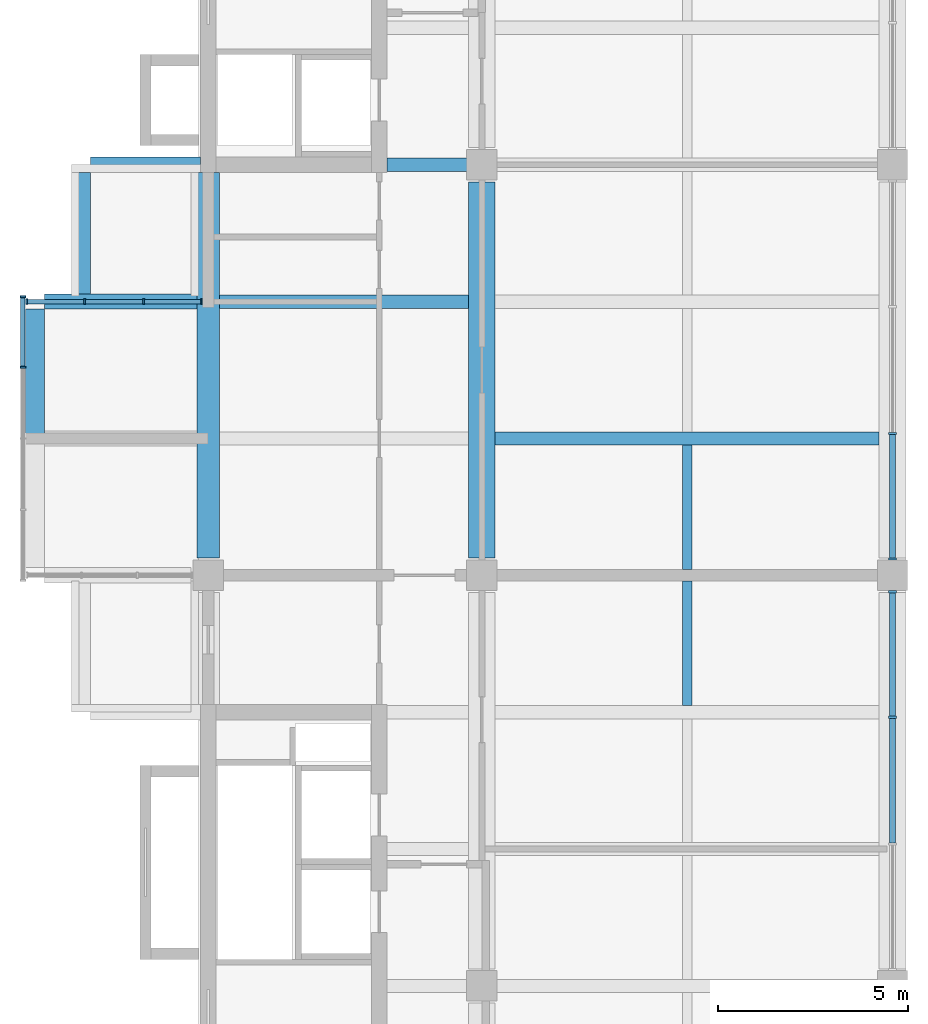
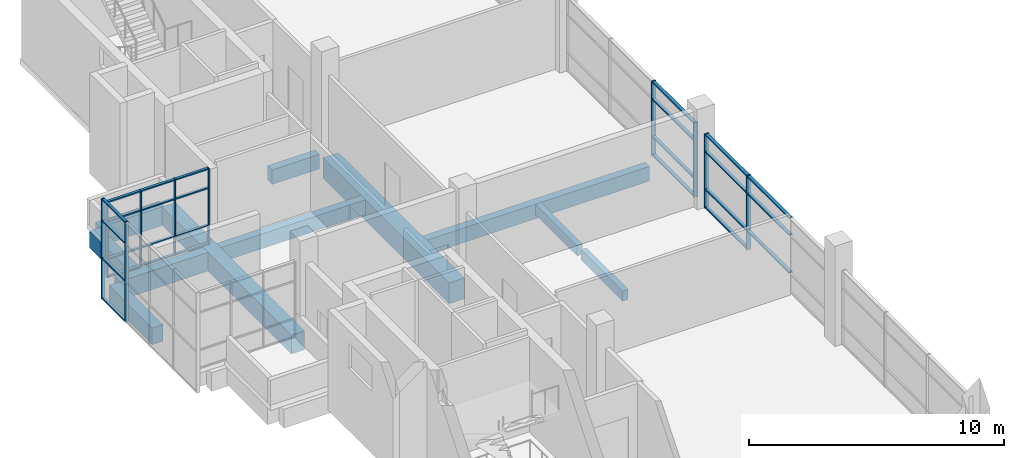
# One storey, part 6 of 14: 37 members, 11 beams, 4 elements without a shape of their own.
"""IFC4 building model written with IfcOpenShell, lengths in metres."""

from ifc_helpers import new_model, si_unit, direction, frame, origin, origin_2d, place, context, subcontext, project, spatial, rectangle, extrude, material, layer, layer_set, material_profile, profile_set, type_object, element, aggregate, save


model = new_model("IFC4")

# Units and contexts
model_context = context("Model", 3, precision=1e-05, world=origin(), true_north=direction((0.0, 1.0)))
body_context = subcontext(model_context, "Body", "Model", "MODEL_VIEW")
ifc_project = project(units=[si_unit("LENGTHUNIT", "METRE"), si_unit("AREAUNIT", "SQUARE_METRE"), si_unit("VOLUMEUNIT", "CUBIC_METRE"), si_unit("PLANEANGLEUNIT", "RADIAN"), si_unit("MASSUNIT", "GRAM", prefix="KILO")], contexts=[model_context])

# Site, building, storey
site_placement = place(None, origin())
site = spatial("IfcSite", under=ifc_project, at=site_placement, CompositionType="ELEMENT")
building_placement = place(site_placement, origin())
building = spatial("IfcBuilding", under=site, at=building_placement, Name="Basin Gate Institute", CompositionType="ELEMENT")
storey_placement = place(building_placement, frame((0.0, 0.0, 60.60009765625)))
storey = spatial("IfcBuildingStorey", under=building, at=storey_placement, Name="L12", CompositionType="ELEMENT", Elevation=60.60009765625)

# Beams
ifc_material_1 = material(Name="Concrete 40 MPa", Category="concrete")
ifc_material_profile_1 = material_profile(ifc_material_1, rectangle(XDim=0.35009765625, YDim=0.699951171875, at=origin_2d()), Name="Beam B1 350 x 700")
ifc_profile_set_1 = profile_set([ifc_material_profile_1], Name="Concrete 40 MPa")
beam_type_1 = type_object("IfcBeamType", Name="Beam B1 R120", PredefinedType="BEAM", material=ifc_profile_set_1)
beam_1_placement = place(storey_placement, frame((68.75, 81.89990234375, -0.60009765625), z_axis=(1.0, 0.0, 0.0), x_axis=(0.0, 1.0, 0.0)))
element("IfcBeam", 1, at=beam_1_placement, inside=storey, type_object=beam_type_1, material=ifc_profile_set_1, Name="BEAM/L12/W/EW/14", PredefinedType="BEAM", context=body_context, shape_type="SweptSolid", body=[
    extrude(rectangle(XDim=0.35009765625, YDim=0.699951171875, at=origin_2d()), origin(), (0.0, 0.0, 1.0), 10.10009765625),
])
beam_2_placement = place(storey_placement, frame((61.5, 85.5, -0.60009765625), z_axis=(1.0, 0.0, 0.0), x_axis=(0.0, 1.0, 0.0)))
element("IfcBeam", 2, at=beam_2_placement, inside=storey, type_object=beam_type_1, material=ifc_profile_set_1, Name="BEAM/L12/W/OUT/15", PredefinedType="BEAM", context=body_context, shape_type="SweptSolid", body=[
    extrude(rectangle(XDim=0.35009765625, YDim=0.699951171875, at=origin_2d()), origin(), (0.0, 0.0, 1.0), 6.550048828125),
])
beam_3_placement = place(storey_placement, frame((65.89990234375, 89.10009765625, -0.60009765625), z_axis=(1.0, 0.0, 0.0), x_axis=(0.0, 1.0, 0.0)))
element("IfcBeam", 3, at=beam_3_placement, inside=storey, type_object=beam_type_1, material=ifc_profile_set_1, Name="BEAM/L12/W/CORR/16", PredefinedType="BEAM", context=body_context, shape_type="SweptSolid", body=[
    extrude(rectangle(XDim=0.35009765625, YDim=0.699951171875, at=origin_2d()), origin(), (0.0, 0.0, 1.0), 2.150146484375),
])
ifc_material_2 = material(Name="Concrete 50 MPa", Category="concrete")
ifc_material_profile_2 = material_profile(ifc_material_2, rectangle(XDim=0.39990234375, YDim=0.89990234375, at=origin_2d()), Name="Cantilever beam B3 400 x 900")
ifc_profile_set_2 = profile_set([ifc_material_profile_2], Name="Concrete 50 MPa")
beam_type_2 = type_object("IfcBeamType", Name="Cantilever beam B3 R120", PredefinedType="BEAM", material=ifc_profile_set_2)
beam_4_placement = place(storey_placement, frame((56.89990234375, 85.5, -0.7001953125), z_axis=(1.0, 0.0, 0.0), x_axis=(0.0, 1.0, 0.0)))
element("IfcBeam", 4, at=beam_4_placement, inside=storey, type_object=beam_type_2, material=ifc_profile_set_2, Name="BEAM/L12/W/CANT/15", PredefinedType="BEAM", context=body_context, shape_type="SweptSolid", body=[
    extrude(rectangle(XDim=0.39990234375, YDim=0.89990234375, at=origin_2d()), origin(), (0.0, 0.0, 1.0), 4.0),
])
beam_5_placement = place(storey_placement, frame((58.10009765625, 89.10009765625, -0.7001953125), z_axis=(1.0, 0.0, 0.0), x_axis=(0.0, 1.0, 0.0)))
element("IfcBeam", 5, at=beam_5_placement, inside=storey, type_object=beam_type_2, material=ifc_profile_set_2, Name="BEAM/L12/W/CANT/16", PredefinedType="BEAM", context=body_context, shape_type="SweptSolid", body=[
    extrude(rectangle(XDim=0.39990234375, YDim=0.89990234375, at=origin_2d()), origin(), (0.0, 0.0, 1.0), 2.89990234375),
])
ifc_material_3 = material(Name="Concrete 50 MPa", Category="concrete")
ifc_material_profile_3 = material_profile(ifc_material_3, rectangle(XDim=0.60009765625, YDim=0.89990234375, at=origin_2d()), Name="Edge beam EB1 600 x 900")
ifc_profile_set_3 = profile_set([ifc_material_profile_3], Name="Concrete 50 MPa")
beam_type_3 = type_object("IfcBeamType", Name="Edge beam EB1 R120", PredefinedType="SPANDREL", material=ifc_profile_set_3)
beam_6_placement = place(storey_placement, frame((61.199951171875, 78.75, -0.7001953125), z_axis=(0.0, 1.0, 0.0), x_axis=(-1.0, 0.0, 0.0)))
element("IfcBeam", 6, at=beam_6_placement, inside=storey, type_object=beam_type_3, material=ifc_profile_set_3, Name="BEAM/L12/W/EDGE/4", PredefinedType="SPANDREL", context=body_context, shape_type="SweptSolid", body=[
    extrude(rectangle(XDim=0.60009765625, YDim=0.89990234375, at=origin_2d()), origin(), (0.0, 0.0, 1.0), 10.14990234375),
])
ifc_material_4 = material(Name="Concrete 50 MPa", Category="concrete")
ifc_material_profile_4 = material_profile(ifc_material_4, rectangle(XDim=0.699951171875, YDim=1.0, at=origin_2d()), Name="Girder G1 700 x 1000")
ifc_profile_set_4 = profile_set([ifc_material_profile_4], Name="Concrete 50 MPa")
beam_type_4 = type_object("IfcBeamType", Name="Girder G1 R120", PredefinedType="BEAM", material=ifc_profile_set_4)
beam_7_placement = place(storey_placement, frame((68.39990234375, 78.75, -0.75), z_axis=(0.0, 1.0, 0.0), x_axis=(-1.0, 0.0, 0.0)))
element("IfcBeam", 7, at=beam_7_placement, inside=storey, type_object=beam_type_4, material=ifc_profile_set_4, Name="GIR/L12/W5/5", PredefinedType="BEAM", context=body_context, shape_type="SweptSolid", body=[
    extrude(rectangle(XDim=0.699951171875, YDim=1.0, at=origin_2d()), origin(), (0.0, 0.0, 1.0), 9.89990234375),
])

# Curtain wall, members
ifc_material_5 = material(Name="Aluminium-framed glazing", Category="aluminium")
ifc_layer_1 = layer(ifc_material_5, 0.14990234375)
ifc_layer_set_1 = layer_set([ifc_layer_1], Name="Capsule front curtain wall CW1")
curtain_wall_type_1 = type_object("IfcCurtainWallType", Name="Capsule front curtain wall CW1", PredefinedType="NOTDEFINED", material=ifc_layer_set_1)
curtain_wall_1_placement = place(storey_placement, origin())
curtain_wall_1 = element("IfcCurtainWall", 8, at=curtain_wall_1_placement, inside=storey, type_object=curtain_wall_type_1, material=ifc_layer_set_1, Name="Capsule front curtain wall W wing capsule end L12 line 15", PredefinedType="NOTDEFINED")
ifc_material_6 = material(Name="Aluminium", Category="aluminium")
ifc_material_profile_5 = material_profile(ifc_material_6, rectangle(XDim=0.14990234375, YDim=0.050048828125, at=origin_2d()), Name="Mullion MU1 150 x 50")
ifc_profile_set_5 = profile_set([ifc_material_profile_5], Name="Aluminium")
member_type_1 = type_object("IfcMemberType", Name="Mullion MU1", PredefinedType="MULLION", material=ifc_profile_set_5)
member_1_placement = place(storey_placement, frame((56.425048828125, 85.5, 0.0), z_axis=(0.0, 0.0, 1.0), x_axis=(0.0, 1.0, 0.0)))
member_1 = element("IfcMember", 9, at=member_1_placement, type_object=member_type_1, material=ifc_profile_set_5, Name="CW1 mullion 1", PredefinedType="MULLION", context=body_context, shape_type="SweptSolid", body=[
    extrude(rectangle(XDim=0.14990234375, YDim=0.050048828125, at=origin_2d()), origin(), (0.0, 0.0, 1.0), 3.64990234375),
])
member_2_placement = place(storey_placement, frame((57.949951171875, 85.5, 0.0), z_axis=(0.0, 0.0, 1.0), x_axis=(0.0, 1.0, 0.0)))
member_2 = element("IfcMember", 10, at=member_2_placement, type_object=member_type_1, material=ifc_profile_set_5, Name="CW1 mullion 2", PredefinedType="MULLION", context=body_context, shape_type="SweptSolid", body=[
    extrude(rectangle(XDim=0.14990234375, YDim=0.050048828125, at=origin_2d()), origin(), (0.0, 0.0, 1.0), 3.64990234375),
])
member_3_placement = place(storey_placement, frame((59.5, 85.5, 0.0), z_axis=(0.0, 0.0, 1.0), x_axis=(0.0, 1.0, 0.0)))
member_3 = element("IfcMember", 11, at=member_3_placement, type_object=member_type_1, material=ifc_profile_set_5, Name="CW1 mullion 3", PredefinedType="MULLION", context=body_context, shape_type="SweptSolid", body=[
    extrude(rectangle(XDim=0.14990234375, YDim=0.050048828125, at=origin_2d()), origin(), (0.0, 0.0, 1.0), 3.64990234375),
])
member_4_placement = place(storey_placement, frame((61.02490234375, 85.5, 0.0), z_axis=(0.0, 0.0, 1.0), x_axis=(0.0, 1.0, 0.0)))
member_4 = element("IfcMember", 12, at=member_4_placement, type_object=member_type_1, material=ifc_profile_set_5, Name="CW1 mullion 4", PredefinedType="MULLION", context=body_context, shape_type="SweptSolid", body=[
    extrude(rectangle(XDim=0.14990234375, YDim=0.050048828125, at=origin_2d()), origin(), (0.0, 0.0, 1.0), 3.64990234375),
])

curtain_wall_2_placement = place(storey_placement, origin())
curtain_wall_2 = element("IfcCurtainWall", 13, at=curtain_wall_2_placement, inside=storey, type_object=curtain_wall_type_1, material=ifc_layer_set_1, Name="Capsule front curtain wall W wing capsule 2 L12 front 2", PredefinedType="NOTDEFINED")
member_5_placement = place(storey_placement, frame((56.324951171875, 83.77490234375, -1.050048828125), z_axis=(0.0, 0.0, 1.0), x_axis=(-1.0, 0.0, 0.0)))
member_5 = element("IfcMember", 14, at=member_5_placement, type_object=member_type_1, material=ifc_profile_set_5, Name="CW1 mullion 4", PredefinedType="MULLION", context=body_context, shape_type="SweptSolid", body=[
    extrude(rectangle(XDim=0.14990234375, YDim=0.050048828125, at=origin_2d()), origin(), (0.0, 0.0, 1.0), 4.800048828125),
])
member_6_placement = place(storey_placement, frame((56.324951171875, 85.625, -1.050048828125), z_axis=(0.0, 0.0, 1.0), x_axis=(-1.0, 0.0, 0.0)))
member_6 = element("IfcMember", 15, at=member_6_placement, type_object=member_type_1, material=ifc_profile_set_5, Name="CW1 mullion 5", PredefinedType="MULLION", context=body_context, shape_type="SweptSolid", body=[
    extrude(rectangle(XDim=0.14990234375, YDim=0.050048828125, at=origin_2d()), origin(), (0.0, 0.0, 1.0), 4.800048828125),
])

ifc_material_7 = material(Name="Aluminium-framed glazing", Category="aluminium")
ifc_layer_2 = layer(ifc_material_7, 0.199951171875)
ifc_layer_set_2 = layer_set([ifc_layer_2], Name="Atrium curtain wall CW2")
curtain_wall_type_2 = type_object("IfcCurtainWallType", Name="Atrium curtain wall CW2", PredefinedType="NOTDEFINED", material=ifc_layer_set_2)
curtain_wall_3_placement = place(storey_placement, origin())
curtain_wall_3 = element("IfcCurtainWall", 16, at=curtain_wall_3_placement, inside=storey, type_object=curtain_wall_type_2, material=ifc_layer_set_2, Name="Atrium curtain wall W wing atrium bay 4 L12", PredefinedType="NOTDEFINED")
ifc_material_8 = material(Name="Aluminium", Category="aluminium")
ifc_material_profile_6 = material_profile(ifc_material_8, rectangle(XDim=0.199951171875, YDim=0.06005859375, at=origin_2d()), Name="Mullion MU2 200 x 60")
ifc_profile_set_6 = profile_set([ifc_material_profile_6], Name="Aluminium")
member_type_2 = type_object("IfcMemberType", Name="Mullion MU2", PredefinedType="MULLION", material=ifc_profile_set_6)
member_7_placement = place(storey_placement, frame((79.199951171875, 74.566650390625, 0.0), z_axis=(0.0, 0.0, 1.0), x_axis=(-1.0, 0.0, 0.0)))
member_7 = element("IfcMember", 17, at=member_7_placement, type_object=member_type_2, material=ifc_profile_set_6, Name="CW2 mullion 3", PredefinedType="MULLION", context=body_context, shape_type="SweptSolid", body=[
    extrude(rectangle(XDim=0.199951171875, YDim=0.06005859375, at=origin_2d()), origin(), (0.0, 0.0, 1.0), 3.5498046875),
])
member_8_placement = place(storey_placement, frame((79.199951171875, 77.8701171875, 0.0), z_axis=(0.0, 0.0, 1.0), x_axis=(-1.0, 0.0, 0.0)))
member_8 = element("IfcMember", 18, at=member_8_placement, type_object=member_type_2, material=ifc_profile_set_6, Name="CW2 mullion 4", PredefinedType="MULLION", context=body_context, shape_type="SweptSolid", body=[
    extrude(rectangle(XDim=0.199951171875, YDim=0.06005859375, at=origin_2d()), origin(), (0.0, 0.0, 1.0), 3.5498046875),
])

curtain_wall_4_placement = place(storey_placement, origin())
curtain_wall_4 = element("IfcCurtainWall", 19, at=curtain_wall_4_placement, inside=storey, type_object=curtain_wall_type_2, material=ifc_layer_set_2, Name="Atrium curtain wall W wing atrium bay 5 L12", PredefinedType="NOTDEFINED")
member_9_placement = place(storey_placement, frame((79.199951171875, 78.72998046875, 0.0), z_axis=(0.0, 0.0, 1.0), x_axis=(-1.0, 0.0, 0.0)))
member_9 = element("IfcMember", 20, at=member_9_placement, type_object=member_type_2, material=ifc_profile_set_6, Name="CW2 mullion 1", PredefinedType="MULLION", context=body_context, shape_type="SweptSolid", body=[
    extrude(rectangle(XDim=0.199951171875, YDim=0.06005859375, at=origin_2d()), origin(), (0.0, 0.0, 1.0), 3.5498046875),
])
member_10_placement = place(storey_placement, frame((79.199951171875, 82.033447265625, 0.0), z_axis=(0.0, 0.0, 1.0), x_axis=(-1.0, 0.0, 0.0)))
member_10 = element("IfcMember", 21, at=member_10_placement, type_object=member_type_2, material=ifc_profile_set_6, Name="CW2 mullion 2", PredefinedType="MULLION", context=body_context, shape_type="SweptSolid", body=[
    extrude(rectangle(XDim=0.199951171875, YDim=0.06005859375, at=origin_2d()), origin(), (0.0, 0.0, 1.0), 3.5498046875),
])

# Beams
ifc_material_9 = material(Name="Concrete 40 MPa", Category="concrete")
ifc_material_profile_7 = material_profile(ifc_material_9, rectangle(XDim=0.25, YDim=0.5, at=origin_2d()), Name="Rib R1 250 x 500")
ifc_profile_set_7 = profile_set([ifc_material_profile_7], Name="Concrete 40 MPa")
beam_type_5 = type_object("IfcBeamType", Name="Rib R1 R120", PredefinedType="JOIST", material=ifc_profile_set_7)
beam_8_placement = place(storey_placement, frame((73.800048828125, 74.875, -0.5), z_axis=(0.0, 1.0, 0.0), x_axis=(-1.0, 0.0, 0.0)))
element("IfcBeam", 22, at=beam_8_placement, inside=storey, type_object=beam_type_5, material=ifc_profile_set_7, Name="BEAM/L12/W/RIB/12", PredefinedType="JOIST", context=body_context, shape_type="SweptSolid", body=[
    extrude(rectangle(XDim=0.25, YDim=0.5, at=origin_2d()), origin(), (0.0, 0.0, 1.0), 3.27490234375),
])
beam_9_placement = place(storey_placement, frame((73.800048828125, 78.449951171875, -0.5), z_axis=(0.0, 1.0, 0.0), x_axis=(-1.0, 0.0, 0.0)))
element("IfcBeam", 23, at=beam_9_placement, inside=storey, type_object=beam_type_5, material=ifc_profile_set_7, Name="BEAM/L12/W/RIB/13", PredefinedType="JOIST", context=body_context, shape_type="SweptSolid", body=[
    extrude(rectangle(XDim=0.25, YDim=0.5, at=origin_2d()), origin(), (0.0, 0.0, 1.0), 3.275146484375),
])
ifc_material_10 = material(Name="Concrete 50 MPa", Category="concrete")
ifc_material_profile_8 = material_profile(ifc_material_10, rectangle(XDim=0.5, YDim=0.800048828125, at=origin_2d()), Name="Tip beam TB1 500 x 800")
ifc_profile_set_8 = profile_set([ifc_material_profile_8], Name="Concrete 50 MPa")
beam_type_6 = type_object("IfcBeamType", Name="Tip beam TB1 R120", PredefinedType="SPANDREL", material=ifc_profile_set_8)
beam_10_placement = place(storey_placement, frame((56.64990234375, 81.89990234375, -0.650146484375), z_axis=(0.0, 1.0, 0.0), x_axis=(-1.0, 0.0, 0.0)))
element("IfcBeam", 24, at=beam_10_placement, inside=storey, type_object=beam_type_6, material=ifc_profile_set_8, Name="BEAM/L12/W/TIP/7", PredefinedType="SPANDREL", context=body_context, shape_type="SweptSolid", body=[
    extrude(rectangle(XDim=0.5, YDim=0.800048828125, at=origin_2d()), origin(), (0.0, 0.0, 1.0), 3.400146484375),
])
beam_11_placement = place(storey_placement, frame((57.85009765625, 85.699951171875, -0.650146484375), z_axis=(0.0, 1.0, 0.0), x_axis=(-1.0, 0.0, 0.0)))
element("IfcBeam", 25, at=beam_11_placement, inside=storey, type_object=beam_type_6, material=ifc_profile_set_8, Name="BEAM/L12/W/TIP/8", PredefinedType="SPANDREL", context=body_context, shape_type="SweptSolid", body=[
    extrude(rectangle(XDim=0.5, YDim=0.800048828125, at=origin_2d()), origin(), (0.0, 0.0, 1.0), 3.199951171875),
])

# Member
ifc_material_11 = material(Name="Aluminium", Category="aluminium")
ifc_material_profile_9 = material_profile(ifc_material_11, rectangle(XDim=0.1201171875, YDim=0.06005859375, at=origin_2d()), Name="Transom TR1 120 x 60")
ifc_profile_set_9 = profile_set([ifc_material_profile_9], Name="Aluminium")
member_type_3 = type_object("IfcMemberType", Name="Transom TR1", PredefinedType="USERDEFINED", material=ifc_profile_set_9)
member_11_placement = place(storey_placement, frame((56.449951171875, 85.5, 0.02978515625), z_axis=(1.0, 0.0, 0.0), x_axis=(0.0, 1.0, 0.0)))
member_11 = element("IfcMember", 26, at=member_11_placement, type_object=member_type_3, material=ifc_profile_set_9, Name="CW1 transom 1.1", ObjectType="TRANSOM", PredefinedType="USERDEFINED", context=body_context, shape_type="SweptSolid", body=[
    extrude(rectangle(XDim=0.1201171875, YDim=0.06005859375, at=origin_2d()), origin(), (0.0, 0.0, 1.0), 1.47509765625),
])

member_12_placement = place(storey_placement, frame((56.449951171875, 85.5, 0.89990234375), z_axis=(1.0, 0.0, 0.0), x_axis=(0.0, 1.0, 0.0)))
member_12 = element("IfcMember", 27, at=member_12_placement, type_object=member_type_3, material=ifc_profile_set_9, Name="CW1 transom 1.2", ObjectType="TRANSOM", PredefinedType="USERDEFINED", context=body_context, shape_type="SweptSolid", body=[
    extrude(rectangle(XDim=0.1201171875, YDim=0.06005859375, at=origin_2d()), origin(), (0.0, 0.0, 1.0), 1.47509765625),
])

member_13_placement = place(storey_placement, frame((56.449951171875, 85.5, 2.699951171875), z_axis=(1.0, 0.0, 0.0), x_axis=(0.0, 1.0, 0.0)))
member_13 = element("IfcMember", 28, at=member_13_placement, type_object=member_type_3, material=ifc_profile_set_9, Name="CW1 transom 1.3", ObjectType="TRANSOM", PredefinedType="USERDEFINED", context=body_context, shape_type="SweptSolid", body=[
    extrude(rectangle(XDim=0.1201171875, YDim=0.06005859375, at=origin_2d()), origin(), (0.0, 0.0, 1.0), 1.47509765625),
])

member_14_placement = place(storey_placement, frame((56.449951171875, 85.5, 3.619873046875), z_axis=(1.0, 0.0, 0.0), x_axis=(0.0, 1.0, 0.0)))
member_14 = element("IfcMember", 29, at=member_14_placement, type_object=member_type_3, material=ifc_profile_set_9, Name="CW1 transom 1.4", ObjectType="TRANSOM", PredefinedType="USERDEFINED", context=body_context, shape_type="SweptSolid", body=[
    extrude(rectangle(XDim=0.1201171875, YDim=0.06005859375, at=origin_2d()), origin(), (0.0, 0.0, 1.0), 1.47509765625),
])

member_15_placement = place(storey_placement, frame((57.97509765625, 85.5, 0.02978515625), z_axis=(1.0, 0.0, 0.0), x_axis=(0.0, 1.0, 0.0)))
member_15 = element("IfcMember", 30, at=member_15_placement, type_object=member_type_3, material=ifc_profile_set_9, Name="CW1 transom 2.1", ObjectType="TRANSOM", PredefinedType="USERDEFINED", context=body_context, shape_type="SweptSolid", body=[
    extrude(rectangle(XDim=0.1201171875, YDim=0.06005859375, at=origin_2d()), origin(), (0.0, 0.0, 1.0), 1.5),
])

member_16_placement = place(storey_placement, frame((57.97509765625, 85.5, 0.89990234375), z_axis=(1.0, 0.0, 0.0), x_axis=(0.0, 1.0, 0.0)))
member_16 = element("IfcMember", 31, at=member_16_placement, type_object=member_type_3, material=ifc_profile_set_9, Name="CW1 transom 2.2", ObjectType="TRANSOM", PredefinedType="USERDEFINED", context=body_context, shape_type="SweptSolid", body=[
    extrude(rectangle(XDim=0.1201171875, YDim=0.06005859375, at=origin_2d()), origin(), (0.0, 0.0, 1.0), 1.5),
])

member_17_placement = place(storey_placement, frame((57.97509765625, 85.5, 2.699951171875), z_axis=(1.0, 0.0, 0.0), x_axis=(0.0, 1.0, 0.0)))
member_17 = element("IfcMember", 32, at=member_17_placement, type_object=member_type_3, material=ifc_profile_set_9, Name="CW1 transom 2.3", ObjectType="TRANSOM", PredefinedType="USERDEFINED", context=body_context, shape_type="SweptSolid", body=[
    extrude(rectangle(XDim=0.1201171875, YDim=0.06005859375, at=origin_2d()), origin(), (0.0, 0.0, 1.0), 1.5),
])

member_18_placement = place(storey_placement, frame((57.97509765625, 85.5, 3.619873046875), z_axis=(1.0, 0.0, 0.0), x_axis=(0.0, 1.0, 0.0)))
member_18 = element("IfcMember", 33, at=member_18_placement, type_object=member_type_3, material=ifc_profile_set_9, Name="CW1 transom 2.4", ObjectType="TRANSOM", PredefinedType="USERDEFINED", context=body_context, shape_type="SweptSolid", body=[
    extrude(rectangle(XDim=0.1201171875, YDim=0.06005859375, at=origin_2d()), origin(), (0.0, 0.0, 1.0), 1.5),
])

member_19_placement = place(storey_placement, frame((59.52490234375, 85.5, 0.02978515625), z_axis=(1.0, 0.0, 0.0), x_axis=(0.0, 1.0, 0.0)))
member_19 = element("IfcMember", 34, at=member_19_placement, type_object=member_type_3, material=ifc_profile_set_9, Name="CW1 transom 3.1", ObjectType="TRANSOM", PredefinedType="USERDEFINED", context=body_context, shape_type="SweptSolid", body=[
    extrude(rectangle(XDim=0.1201171875, YDim=0.06005859375, at=origin_2d()), origin(), (0.0, 0.0, 1.0), 1.47509765625),
])

member_20_placement = place(storey_placement, frame((59.52490234375, 85.5, 0.89990234375), z_axis=(1.0, 0.0, 0.0), x_axis=(0.0, 1.0, 0.0)))
member_20 = element("IfcMember", 35, at=member_20_placement, type_object=member_type_3, material=ifc_profile_set_9, Name="CW1 transom 3.2", ObjectType="TRANSOM", PredefinedType="USERDEFINED", context=body_context, shape_type="SweptSolid", body=[
    extrude(rectangle(XDim=0.1201171875, YDim=0.06005859375, at=origin_2d()), origin(), (0.0, 0.0, 1.0), 1.47509765625),
])

member_21_placement = place(storey_placement, frame((59.52490234375, 85.5, 2.699951171875), z_axis=(1.0, 0.0, 0.0), x_axis=(0.0, 1.0, 0.0)))
member_21 = element("IfcMember", 36, at=member_21_placement, type_object=member_type_3, material=ifc_profile_set_9, Name="CW1 transom 3.3", ObjectType="TRANSOM", PredefinedType="USERDEFINED", context=body_context, shape_type="SweptSolid", body=[
    extrude(rectangle(XDim=0.1201171875, YDim=0.06005859375, at=origin_2d()), origin(), (0.0, 0.0, 1.0), 1.47509765625),
])

member_22_placement = place(storey_placement, frame((59.52490234375, 85.5, 3.619873046875), z_axis=(1.0, 0.0, 0.0), x_axis=(0.0, 1.0, 0.0)))
member_22 = element("IfcMember", 37, at=member_22_placement, type_object=member_type_3, material=ifc_profile_set_9, Name="CW1 transom 3.4", ObjectType="TRANSOM", PredefinedType="USERDEFINED", context=body_context, shape_type="SweptSolid", body=[
    extrude(rectangle(XDim=0.1201171875, YDim=0.06005859375, at=origin_2d()), origin(), (0.0, 0.0, 1.0), 1.47509765625),
])

aggregate(curtain_wall_1, [member_1, member_2, member_3, member_4, member_11, member_12, member_13, member_14, member_15, member_16, member_17, member_18, member_19, member_20, member_21, member_22])

member_23_placement = place(storey_placement, frame((56.324951171875, 83.800048828125, -1.02001953125), z_axis=(0.0, 1.0, 0.0), x_axis=(-1.0, 0.0, 0.0)))
member_23 = element("IfcMember", 38, at=member_23_placement, type_object=member_type_3, material=ifc_profile_set_9, Name="CW1 transom 4.1", ObjectType="TRANSOM", PredefinedType="USERDEFINED", context=body_context, shape_type="SweptSolid", body=[
    extrude(rectangle(XDim=0.1201171875, YDim=0.06005859375, at=origin_2d()), origin(), (0.0, 0.0, 1.0), 1.800048828125),
])

member_24_placement = place(storey_placement, frame((56.324951171875, 83.800048828125, 0.89990234375), z_axis=(0.0, 1.0, 0.0), x_axis=(-1.0, 0.0, 0.0)))
member_24 = element("IfcMember", 39, at=member_24_placement, type_object=member_type_3, material=ifc_profile_set_9, Name="CW1 transom 4.2", ObjectType="TRANSOM", PredefinedType="USERDEFINED", context=body_context, shape_type="SweptSolid", body=[
    extrude(rectangle(XDim=0.1201171875, YDim=0.06005859375, at=origin_2d()), origin(), (0.0, 0.0, 1.0), 1.800048828125),
])

member_25_placement = place(storey_placement, frame((56.324951171875, 83.800048828125, 2.699951171875), z_axis=(0.0, 1.0, 0.0), x_axis=(-1.0, 0.0, 0.0)))
member_25 = element("IfcMember", 40, at=member_25_placement, type_object=member_type_3, material=ifc_profile_set_9, Name="CW1 transom 4.3", ObjectType="TRANSOM", PredefinedType="USERDEFINED", context=body_context, shape_type="SweptSolid", body=[
    extrude(rectangle(XDim=0.1201171875, YDim=0.06005859375, at=origin_2d()), origin(), (0.0, 0.0, 1.0), 1.800048828125),
])

member_26_placement = place(storey_placement, frame((56.324951171875, 83.800048828125, 3.719970703125), z_axis=(0.0, 1.0, 0.0), x_axis=(-1.0, 0.0, 0.0)))
member_26 = element("IfcMember", 41, at=member_26_placement, type_object=member_type_3, material=ifc_profile_set_9, Name="CW1 transom 4.4", ObjectType="TRANSOM", PredefinedType="USERDEFINED", context=body_context, shape_type="SweptSolid", body=[
    extrude(rectangle(XDim=0.1201171875, YDim=0.06005859375, at=origin_2d()), origin(), (0.0, 0.0, 1.0), 1.800048828125),
])

aggregate(curtain_wall_2, [member_5, member_6, member_23, member_24, member_25, member_26])

ifc_material_12 = material(Name="Aluminium", Category="aluminium")
ifc_material_profile_10 = material_profile(ifc_material_12, rectangle(XDim=0.14990234375, YDim=0.06005859375, at=origin_2d()), Name="Transom TR2 150 x 60")
ifc_profile_set_10 = profile_set([ifc_material_profile_10], Name="Aluminium")
member_type_4 = type_object("IfcMemberType", Name="Transom TR2", PredefinedType="USERDEFINED", material=ifc_profile_set_10)
member_27_placement = place(storey_placement, frame((79.199951171875, 71.263427734375, 0.89990234375), z_axis=(0.0, 1.0, 0.0), x_axis=(-1.0, 0.0, 0.0)))
member_27 = element("IfcMember", 42, at=member_27_placement, type_object=member_type_4, material=ifc_profile_set_10, Name="CW2 transom 2.2", ObjectType="TRANSOM", PredefinedType="USERDEFINED", context=body_context, shape_type="SweptSolid", body=[
    extrude(rectangle(XDim=0.14990234375, YDim=0.06005859375, at=origin_2d()), origin(), (0.0, 0.0, 1.0), 3.273193359375),
])

member_28_placement = place(storey_placement, frame((79.199951171875, 71.263427734375, 2.699951171875), z_axis=(0.0, 1.0, 0.0), x_axis=(-1.0, 0.0, 0.0)))
member_28 = element("IfcMember", 43, at=member_28_placement, type_object=member_type_4, material=ifc_profile_set_10, Name="CW2 transom 2.3", ObjectType="TRANSOM", PredefinedType="USERDEFINED", context=body_context, shape_type="SweptSolid", body=[
    extrude(rectangle(XDim=0.14990234375, YDim=0.06005859375, at=origin_2d()), origin(), (0.0, 0.0, 1.0), 3.273193359375),
])

member_29_placement = place(storey_placement, frame((79.199951171875, 71.263427734375, 3.52001953125), z_axis=(0.0, 1.0, 0.0), x_axis=(-1.0, 0.0, 0.0)))
member_29 = element("IfcMember", 44, at=member_29_placement, type_object=member_type_4, material=ifc_profile_set_10, Name="CW2 transom 2.4", ObjectType="TRANSOM", PredefinedType="USERDEFINED", context=body_context, shape_type="SweptSolid", body=[
    extrude(rectangle(XDim=0.14990234375, YDim=0.06005859375, at=origin_2d()), origin(), (0.0, 0.0, 1.0), 3.273193359375),
])

member_30_placement = place(storey_placement, frame((79.199951171875, 74.5966796875, 0.02978515625), z_axis=(0.0, 1.0, 0.0), x_axis=(-1.0, 0.0, 0.0)))
member_30 = element("IfcMember", 45, at=member_30_placement, type_object=member_type_4, material=ifc_profile_set_10, Name="CW2 transom 3.1", ObjectType="TRANSOM", PredefinedType="USERDEFINED", context=body_context, shape_type="SweptSolid", body=[
    extrude(rectangle(XDim=0.14990234375, YDim=0.06005859375, at=origin_2d()), origin(), (0.0, 0.0, 1.0), 3.243408203125),
])

member_31_placement = place(storey_placement, frame((79.199951171875, 74.5966796875, 0.89990234375), z_axis=(0.0, 1.0, 0.0), x_axis=(-1.0, 0.0, 0.0)))
member_31 = element("IfcMember", 46, at=member_31_placement, type_object=member_type_4, material=ifc_profile_set_10, Name="CW2 transom 3.2", ObjectType="TRANSOM", PredefinedType="USERDEFINED", context=body_context, shape_type="SweptSolid", body=[
    extrude(rectangle(XDim=0.14990234375, YDim=0.06005859375, at=origin_2d()), origin(), (0.0, 0.0, 1.0), 3.243408203125),
])

member_32_placement = place(storey_placement, frame((79.199951171875, 74.5966796875, 2.699951171875), z_axis=(0.0, 1.0, 0.0), x_axis=(-1.0, 0.0, 0.0)))
member_32 = element("IfcMember", 47, at=member_32_placement, type_object=member_type_4, material=ifc_profile_set_10, Name="CW2 transom 3.3", ObjectType="TRANSOM", PredefinedType="USERDEFINED", context=body_context, shape_type="SweptSolid", body=[
    extrude(rectangle(XDim=0.14990234375, YDim=0.06005859375, at=origin_2d()), origin(), (0.0, 0.0, 1.0), 3.243408203125),
])

member_33_placement = place(storey_placement, frame((79.199951171875, 74.5966796875, 3.52001953125), z_axis=(0.0, 1.0, 0.0), x_axis=(-1.0, 0.0, 0.0)))
member_33 = element("IfcMember", 48, at=member_33_placement, type_object=member_type_4, material=ifc_profile_set_10, Name="CW2 transom 3.4", ObjectType="TRANSOM", PredefinedType="USERDEFINED", context=body_context, shape_type="SweptSolid", body=[
    extrude(rectangle(XDim=0.14990234375, YDim=0.06005859375, at=origin_2d()), origin(), (0.0, 0.0, 1.0), 3.243408203125),
])

aggregate(curtain_wall_3, [member_7, member_8, member_27, member_28, member_29, member_30, member_31, member_32, member_33])

member_34_placement = place(storey_placement, frame((79.199951171875, 78.760009765625, 0.02978515625), z_axis=(0.0, 1.0, 0.0), x_axis=(-1.0, 0.0, 0.0)))
member_34 = element("IfcMember", 49, at=member_34_placement, type_object=member_type_4, material=ifc_profile_set_10, Name="CW2 transom 1.1", ObjectType="TRANSOM", PredefinedType="USERDEFINED", context=body_context, shape_type="SweptSolid", body=[
    extrude(rectangle(XDim=0.14990234375, YDim=0.06005859375, at=origin_2d()), origin(), (0.0, 0.0, 1.0), 3.243408203125),
])

member_35_placement = place(storey_placement, frame((79.199951171875, 78.760009765625, 0.89990234375), z_axis=(0.0, 1.0, 0.0), x_axis=(-1.0, 0.0, 0.0)))
member_35 = element("IfcMember", 50, at=member_35_placement, type_object=member_type_4, material=ifc_profile_set_10, Name="CW2 transom 1.2", ObjectType="TRANSOM", PredefinedType="USERDEFINED", context=body_context, shape_type="SweptSolid", body=[
    extrude(rectangle(XDim=0.14990234375, YDim=0.06005859375, at=origin_2d()), origin(), (0.0, 0.0, 1.0), 3.243408203125),
])

member_36_placement = place(storey_placement, frame((79.199951171875, 78.760009765625, 2.699951171875), z_axis=(0.0, 1.0, 0.0), x_axis=(-1.0, 0.0, 0.0)))
member_36 = element("IfcMember", 51, at=member_36_placement, type_object=member_type_4, material=ifc_profile_set_10, Name="CW2 transom 1.3", ObjectType="TRANSOM", PredefinedType="USERDEFINED", context=body_context, shape_type="SweptSolid", body=[
    extrude(rectangle(XDim=0.14990234375, YDim=0.06005859375, at=origin_2d()), origin(), (0.0, 0.0, 1.0), 3.243408203125),
])

member_37_placement = place(storey_placement, frame((79.199951171875, 78.760009765625, 3.52001953125), z_axis=(0.0, 1.0, 0.0), x_axis=(-1.0, 0.0, 0.0)))
member_37 = element("IfcMember", 52, at=member_37_placement, type_object=member_type_4, material=ifc_profile_set_10, Name="CW2 transom 1.4", ObjectType="TRANSOM", PredefinedType="USERDEFINED", context=body_context, shape_type="SweptSolid", body=[
    extrude(rectangle(XDim=0.14990234375, YDim=0.06005859375, at=origin_2d()), origin(), (0.0, 0.0, 1.0), 3.243408203125),
])

aggregate(curtain_wall_4, [member_9, member_10, member_34, member_35, member_36, member_37])

save(model, "model.ifc")
